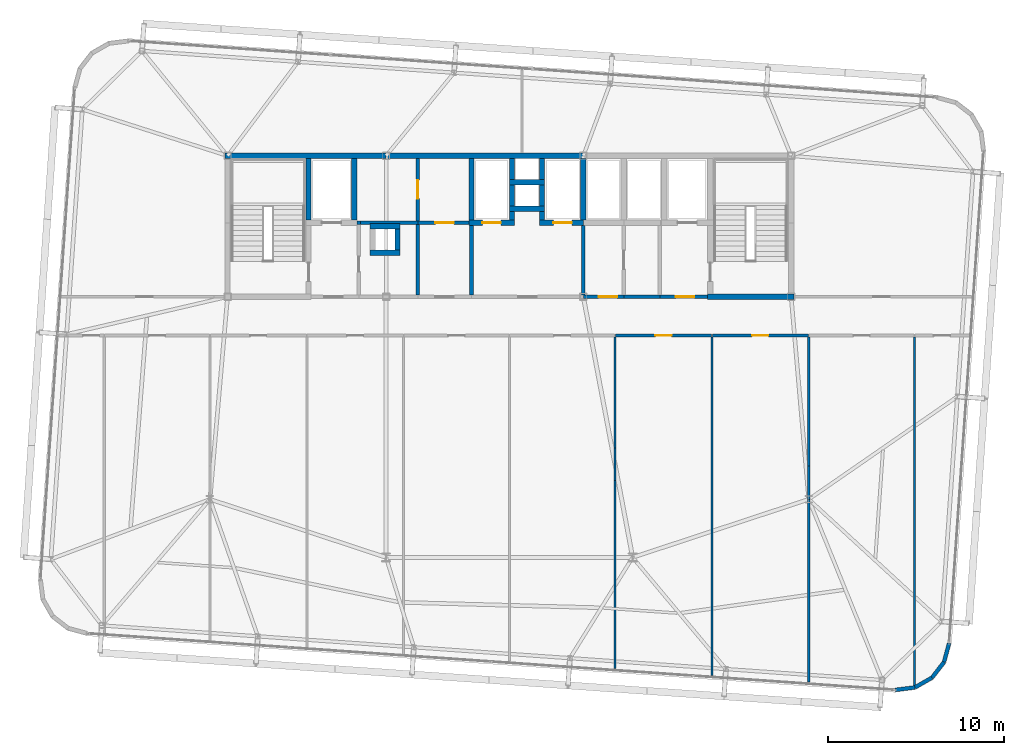
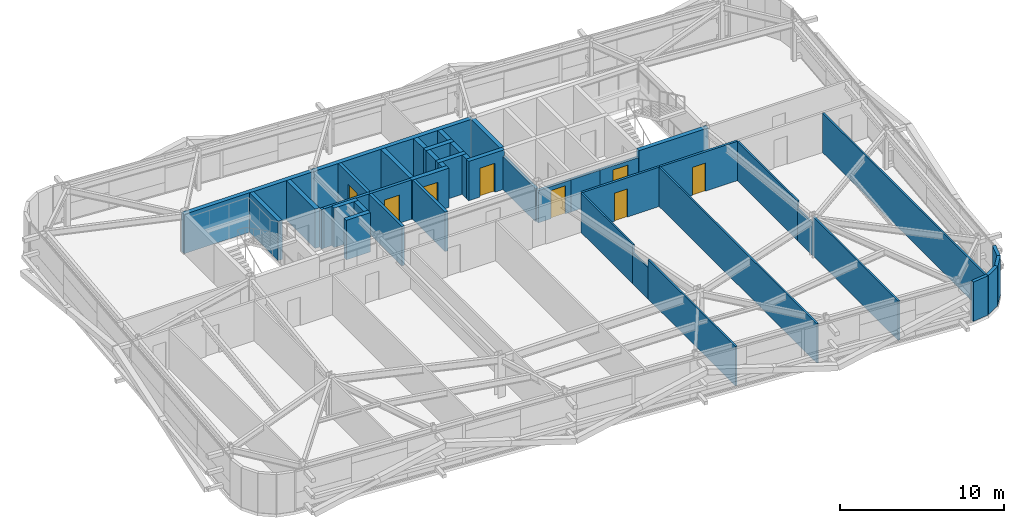
# One storey, part 36 of 39: 44 walls, 8 doors, 8 openings.
"""IFC4 building model written with IfcOpenShell, lengths in metres."""

from ifc_helpers import new_model, si_unit, direction, frame, frame_2d, origin, place, context, subcontext, project, spatial, rectangle, extrude, source, transform, mapped, material, layer, layer_set, type_object, element, fill, save


model = new_model("IFC4")

# Units and contexts
model_context = context("Model", 3, precision=1e-05, world=origin(), true_north=direction((0.0, 1.0)))
body_context = subcontext(model_context, "Body", "Model", "MODEL_VIEW")
ifc_project = project(units=[si_unit("LENGTHUNIT", "METRE"), si_unit("AREAUNIT", "SQUARE_METRE"), si_unit("VOLUMEUNIT", "CUBIC_METRE"), si_unit("PLANEANGLEUNIT", "RADIAN"), si_unit("MASSUNIT", "GRAM", prefix="KILO")], contexts=[model_context])

# Site, building, storey
site_placement = place(None, origin())
site = spatial("IfcSite", under=ifc_project, at=site_placement, CompositionType="ELEMENT")
building_placement = place(site_placement, origin())
building = spatial("IfcBuilding", under=site, at=building_placement, Name="Taldren Reach Tower", CompositionType="ELEMENT")
storey_placement = place(building_placement, frame((0.0, 0.0, 120.39990234375)))
storey = spatial("IfcBuildingStorey", under=building, at=storey_placement, Name="L36", CompositionType="ELEMENT", Elevation=120.39990234375)

# Walls
ifc_material_1 = material(Name="Pale Champagne Anodised Aluminium Cladding", Category="aluminium")
ifc_layer_1 = layer(ifc_material_1, 0.04, Name="Pale Champagne Anodised Aluminium Cladding", Category="aluminium")
ifc_material_2 = material(Name="Mineral Wool Acoustic Insulation", Category="insulation")
ifc_layer_2 = layer(ifc_material_2, 0.06, Name="Mineral Wool Acoustic Insulation", Category="insulation")
ifc_material_3 = material(Name="Steel Gr 350 (C350L0)", Category="steel")
ifc_layer_3 = layer(ifc_material_3, 0.12, Name="Steel Gr 350 (C350L0)", Category="steel")
ifc_layer_set_1 = layer_set([ifc_layer_1, ifc_layer_2, ifc_layer_3], Name="Pale Champagne Aluminium Cladding and Steel Gr 350 Stud Framing")
wall_type_1 = type_object("IfcWallType", Name="EW-CRN-220", PredefinedType="SOLIDWALL", material=ifc_layer_set_1)
shared_shape_1 = source(origin(), body_context, "Body", "SweptSolid", [
    extrude(rectangle(XDim=1.115966796875, YDim=0.219970703125, at=frame_2d((0.55810546875, 0.0))), origin(), (0.0, 0.0, 1.0), 2.93017578125),
])
for number, where, z_axis, x_axis, name in (
    (1, (58.02490234375, 1.8173828125, 0.0), (0.0, 0.0, 1.0), (0.868095010314, 0.496398079235, 0.0), "Rounded-corner pale-metal facade wall L36-SE2"),
    (2, (58.99365234375, 2.371337890625, 0.0), (0.0, 0.0, 1.0), (0.612318787668, 0.790610967714, 0.0), "Rounded-corner pale-metal facade wall L36-SE3"),
    (3, (59.677001953125, 3.253662109375, 0.0), (0.0, 0.0, 1.0), (0.262969307856, 0.964804199372, 0.0), "Rounded-corner pale-metal facade wall L36-SE4"),
):
    element("IfcWall", number, at=place(storey_placement, frame(where, z_axis=z_axis, x_axis=x_axis)), inside=storey, type_object=wall_type_1, Name=name, PredefinedType="SOLIDWALL", context=body_context, shape_type="MappedRepresentation", body=[
        mapped(shared_shape_1, transform((0.0, 0.0, 0.0), scale=1.0)),
    ])
shared_shape_2 = source(origin(), body_context, "Body", "SweptSolid", [
    extrude(rectangle(XDim=1.11572265625, YDim=0.219970703125, at=frame_2d((0.557861328125, 0.0))), origin(), (0.0, 0.0, 1.0), 2.93017578125),
])
wall_1_placement = place(storey_placement, frame((56.91796875, 1.6767578125, 0.0), z_axis=(0.0, 0.0, 1.0), x_axis=(0.99202678349, 0.126027222605, 0.0)))
element("IfcWall", 4, at=wall_1_placement, inside=storey, type_object=wall_type_1, Name="Rounded-corner pale-metal facade wall L36-SE1", PredefinedType="SOLIDWALL", context=body_context, shape_type="MappedRepresentation", body=[
    mapped(shared_shape_2, transform((0.0, 0.0, 0.0), scale=1.0)),
])

# Wall, opening, door
ifc_material_4 = material(Name="Concrete S50 (50 MPa)", Category="concrete")
ifc_layer_4 = layer(ifc_material_4, 0.199951171875)
ifc_layer_set_2 = layer_set([ifc_layer_4], Name="Concrete S50 (50 MPa)")
wall_type_2 = type_object("IfcWallType", Name="IW-CORE-200", PredefinedType="SOLIDWALL", material=ifc_layer_set_2)
shared_shape_3 = source(origin(), body_context, "Body", "SweptSolid", [
    extrude(rectangle(XDim=2.300048828125, YDim=0.199951171875, at=frame_2d((1.14990234375, 0.0))), origin(), (0.0, 0.0, 1.0), 2.397216796875),
])
wall_2_placement = place(storey_placement, frame((41.5, 24.0, 0.0), z_axis=(0.0, 0.0, 1.0), x_axis=(-1.0, 0.0, 0.0)))
wall_2 = element("IfcWall", 5, at=wall_2_placement, inside=storey, type_object=wall_type_2, Name="Rear Core Shear Wall W-INT-L36-044", PredefinedType="SOLIDWALL", context=body_context, shape_type="MappedRepresentation", body=[
    mapped(shared_shape_3, transform((0.0, 0.0, 0.0), scale=1.0)),
])
shared_shape_4 = source(origin(), body_context, "Body", "SweptSolid", [
    extrude(rectangle(XDim=1.050048828125, YDim=2.10009765625, at=frame_2d((0.52490234375, 1.050048828125))), frame((0.0, 0.10986328125, 0.0), z_axis=(0.0, -1.0, 0.0), x_axis=(1.0, 0.0, 0.0)), (0.0, 0.0, 1.0), 0.219970703125),
])
opening_1_placement = place(wall_2_placement, frame((0.375, 0.0, 0.0)))
opening_1 = element("IfcOpeningElement", 6, at=opening_1_placement, cuts=wall_2, Name="Opening DF-105", PredefinedType="OPENING", context=body_context, shape_type="MappedRepresentation", body=[
    mapped(shared_shape_4, transform((0.0, 0.0, 0.0), scale=1.0)),
])
ifc_material_5 = material(Name="Fire-Rated Care and Stair Exit Door")
door_type_1 = type_object("IfcDoorType", Name="ID-FIRE-105", OperationType="NOTDEFINED", PredefinedType="DOOR", material=ifc_material_5)
shared_shape_5 = source(origin(), body_context, "Body", "SweptSolid", [
    extrude(rectangle(XDim=1.050048828125, YDim=2.10009765625, at=frame_2d((0.52490234375, 1.050048828125))), frame((0.0, 0.02490234375, 0.0), z_axis=(0.0, -1.0, 0.0), x_axis=(1.0, 0.0, 0.0)), (0.0, 0.0, 1.0), 0.050048828125),
])
door_1_placement = place(opening_1_placement, frame((1.050048828125, 0.0, 0.0), z_axis=(0.0, 0.0, 1.0), x_axis=(-1.0, 0.0, 0.0)))
door_1 = element("IfcDoor", 7, at=door_1_placement, inside=storey, type_object=door_type_1, Name="Interior Door DR-L36-010", OperationType="SINGLE_SWING_RIGHT", OverallHeight=2.10009765625, OverallWidth=1.050048828125, PredefinedType="DOOR", context=body_context, shape_type="MappedRepresentation", body=[
    mapped(shared_shape_5, transform((0.0, 0.0, 0.0), scale=1.0)),
])
fill(opening_1, door_1)

# Walls
shared_shape_6 = source(origin(), body_context, "Body", "SweptSolid", [
    extrude(rectangle(XDim=2.050048828125, YDim=0.199951171875, at=frame_2d((1.02490234375, 0.0))), origin(), (0.0, 0.0, 1.0), 2.397216796875),
])
wall_3_placement = place(storey_placement, frame((43.550048828125, 24.0, 0.0), z_axis=(0.0, 0.0, 1.0), x_axis=(-1.0, 0.0, 0.0)))
element("IfcWall", 8, at=wall_3_placement, inside=storey, type_object=wall_type_2, Name="Rear Core Shear Wall W-INT-L36-045", PredefinedType="SOLIDWALL", context=body_context, shape_type="MappedRepresentation", body=[
    mapped(shared_shape_6, transform((0.0, 0.0, 0.0), scale=1.0)),
])
ifc_material_6 = material(Name="Insulated Residential Stud Partition", Category="gypsum")
ifc_layer_5 = layer(ifc_material_6, 0.1201171875)
ifc_layer_set_3 = layer_set([ifc_layer_5], Name="Insulated Residential Stud Partition")
wall_type_3 = type_object("IfcWallType", Name="IW-PART-120", PredefinedType="PARTITIONING", material=ifc_layer_set_3)
shared_shape_7 = source(origin(), body_context, "Body", "SweptSolid", [
    extrude(rectangle(XDim=1.860595703125, YDim=0.1201171875, at=frame_2d((0.93017578125, 0.0))), origin(), (0.0, 0.0, 1.0), 2.328125),
])
wall_4_placement = place(storey_placement, frame((41.0, 15.416015625, 0.0), z_axis=(0.0, 0.0, 1.0), x_axis=(0.0, -1.0, 0.0)))
element("IfcWall", 9, at=wall_4_placement, inside=storey, type_object=wall_type_3, Name="Interior Partition Wall W-INT-L36-063 part 2", PredefinedType="PARTITIONING", context=body_context, shape_type="MappedRepresentation", body=[
    mapped(shared_shape_7, transform((0.0, 0.0, 0.0), scale=1.0)),
])
ifc_material_7 = material(Name="Concrete S65 (65 MPa)", Category="concrete")
ifc_layer_6 = layer(ifc_material_7, 0.300048828125)
ifc_layer_set_4 = layer_set([ifc_layer_6], Name="Concrete S65 (65 MPa)")
wall_type_4 = type_object("IfcWallType", Name="IW-CORE-300", PredefinedType="SHEAR", material=ifc_layer_set_4)
shared_shape_8 = source(origin(), body_context, "Body", "SweptSolid", [
    extrude(rectangle(XDim=9.14990234375, YDim=0.300048828125, at=frame_2d((4.574951171875, 0.0))), origin(), (0.0, 0.0, 1.0), 2.93017578125),
])
wall_5_placement = place(storey_placement, frame((18.85009765625, 32.0, 0.0), z_axis=(0.0, 0.0, 1.0), x_axis=(1.0, 0.0, 0.0)))
element("IfcWall", 10, at=wall_5_placement, inside=storey, type_object=wall_type_4, Name="Rear Core Shear Wall W-CORE-L36-NORTH1", PredefinedType="SHEAR", context=body_context, shape_type="MappedRepresentation", body=[
    mapped(shared_shape_8, transform((0.0, 0.0, 0.0), scale=1.0)),
])
shared_shape_9 = source(origin(), body_context, "Body", "SweptSolid", [
    extrude(rectangle(XDim=11.199951171875, YDim=0.300048828125, at=frame_2d((5.60009765625, 0.0))), origin(), (0.0, 0.0, 1.0), 2.93017578125),
])
wall_6_placement = place(storey_placement, frame((28.0, 32.0, 0.0), z_axis=(0.0, 0.0, 1.0), x_axis=(1.0, 0.0, 0.0)))
element("IfcWall", 11, at=wall_6_placement, inside=storey, type_object=wall_type_4, Name="Rear Core Shear Wall W-CORE-L36-NORTH2", PredefinedType="SHEAR", context=body_context, shape_type="MappedRepresentation", body=[
    mapped(shared_shape_9, transform((0.0, 0.0, 0.0), scale=1.0)),
])
shared_shape_10 = source(origin(), body_context, "Body", "SweptSolid", [
    extrude(rectangle(XDim=3.5, YDim=0.300048828125, at=frame_2d((1.75, 0.0))), origin(), (0.0, 0.0, 1.0), 2.93017578125),
])
for number, where, z_axis, x_axis, name in (
    (12, (23.60009765625, 28.35009765625, 0.0), (0.0, 0.0, 1.0), (0.0, 1.0, 0.0), "Rear Core Shear Wall W-INT-L36-001"),
    (13, (26.199951171875, 28.35009765625, 0.0), (0.0, 0.0, 1.0), (0.0, 1.0, 0.0), "Rear Core Shear Wall W-INT-L36-005"),
    (14, (32.85009765625, 31.85009765625, 0.0), (0.0, 0.0, 1.0), (0.0, -1.0, 0.0), "Rear Core Shear Wall W-INT-L36-027"),
    (15, (39.199951171875, 28.35009765625, 0.0), (0.0, 0.0, 1.0), (0.0, 1.0, 0.0), "Rear Core Shear Wall W-INT-L36-030"),
):
    element("IfcWall", number, at=place(storey_placement, frame(where, z_axis=z_axis, x_axis=x_axis)), inside=storey, type_object=wall_type_4, Name=name, PredefinedType="SHEAR", context=body_context, shape_type="MappedRepresentation", body=[
        mapped(shared_shape_10, transform((0.0, 0.0, 0.0), scale=1.0)),
    ])
shared_shape_11 = source(origin(), body_context, "Body", "SweptSolid", [
    extrude(rectangle(XDim=4.89990234375, YDim=0.300048828125, at=frame_2d((2.449951171875, 0.0))), origin(), (0.0, 0.0, 1.0), 2.93017578125),
])
wall_7_placement = place(storey_placement, frame((46.25, 24.0, 0.0), z_axis=(0.0, 0.0, 1.0), x_axis=(1.0, 0.0, 0.0)))
element("IfcWall", 16, at=wall_7_placement, inside=storey, type_object=wall_type_4, Name="Rear Core Shear Wall W-INT-L36-010", PredefinedType="SHEAR", context=body_context, shape_type="MappedRepresentation", body=[
    mapped(shared_shape_11, transform((0.0, 0.0, 0.0), scale=1.0)),
])
shared_shape_12 = source(origin(), body_context, "Body", "SweptSolid", [
    extrude(rectangle(XDim=3.949951171875, YDim=0.199951171875, at=frame_2d((1.97509765625, 0.0))), origin(), (0.0, 0.0, 1.0), 2.93017578125),
])
wall_8_placement = place(storey_placement, frame((32.85009765625, 24.10009765625, 0.0), z_axis=(0.0, 0.0, 1.0), x_axis=(0.0, 1.0, 0.0)))
element("IfcWall", 17, at=wall_8_placement, inside=storey, type_object=wall_type_2, Name="Rear Core Shear Wall W-INT-L36-031", PredefinedType="SOLIDWALL", context=body_context, shape_type="MappedRepresentation", body=[
    mapped(shared_shape_12, transform((0.0, 0.0, 0.0), scale=1.0)),
])

# Wall, opening, door
shared_shape_13 = source(origin(), body_context, "Body", "SweptSolid", [
    extrude(rectangle(XDim=2.699951171875, YDim=0.199951171875, at=frame_2d((1.35009765625, 0.0))), origin(), (0.0, 0.0, 1.0), 2.397216796875),
])
wall_9_placement = place(storey_placement, frame((43.550048828125, 24.0, 0.0), z_axis=(0.0, 0.0, 1.0), x_axis=(1.0, 0.0, 0.0)))
wall_9 = element("IfcWall", 18, at=wall_9_placement, inside=storey, type_object=wall_type_2, Name="Rear Core Shear Wall W-INT-L36-014", PredefinedType="SOLIDWALL", context=body_context, shape_type="MappedRepresentation", body=[
    mapped(shared_shape_13, transform((0.0, 0.0, 0.0), scale=1.0)),
])
opening_2_placement = place(wall_9_placement, frame((0.89990234375, 0.0, 0.0)))
opening_2 = element("IfcOpeningElement", 19, at=opening_2_placement, cuts=wall_9, Name="Opening DF-105", PredefinedType="OPENING", context=body_context, shape_type="MappedRepresentation", body=[
    mapped(shared_shape_4, transform((0.0, 0.0, 0.0), scale=1.0)),
])
door_2_placement = place(opening_2_placement, origin())
door_2 = element("IfcDoor", 20, at=door_2_placement, inside=storey, type_object=door_type_1, Name="Interior Door DR-L36-004", OperationType="SINGLE_SWING_LEFT", OverallHeight=2.10009765625, OverallWidth=1.050048828125, PredefinedType="DOOR", context=body_context, shape_type="MappedRepresentation", body=[
    mapped(shared_shape_5, transform((0.0, 0.0, 0.0), scale=1.0)),
])
fill(opening_2, door_2)

# Walls
shared_shape_14 = source(origin(), body_context, "Body", "SweptSolid", [
    extrude(rectangle(XDim=2.0, YDim=0.300048828125, at=frame_2d((1.0, 0.0))), origin(), (0.0, 0.0, 1.0), 2.93017578125),
])
for number, where, z_axis, x_axis, name in (
    (21, (35.0, 30.5, 0.0), (0.0, 0.0, 1.0), (1.0, 0.0, 0.0), "Rear Core Shear Wall W-INT-L36-015"),
    (22, (35.0, 29.0, 0.0), (0.0, 0.0, 1.0), (1.0, 0.0, 0.0), "Rear Core Shear Wall W-INT-L36-020"),
):
    element("IfcWall", number, at=place(storey_placement, frame(where, z_axis=z_axis, x_axis=x_axis)), inside=storey, type_object=wall_type_4, Name=name, PredefinedType="SHEAR", context=body_context, shape_type="MappedRepresentation", body=[
        mapped(shared_shape_14, transform((0.0, 0.0, 0.0), scale=1.0)),
    ])
shared_shape_15 = source(origin(), body_context, "Body", "SweptSolid", [
    extrude(rectangle(XDim=1.2001953125, YDim=0.300048828125, at=frame_2d((0.60009765625, 0.0))), origin(), (0.0, 0.0, 1.0), 2.93017578125),
])
for number, where, z_axis, x_axis, name in (
    (23, (35.14990234375, 31.85009765625, 0.0), (0.0, 0.0, 1.0), (0.0, -1.0, 0.0), "Rear Core Shear Wall W-INT-L36-016"),
    (24, (36.85009765625, 30.64990234375, 0.0), (0.0, 0.0, 1.0), (0.0, 1.0, 0.0), "Rear Core Shear Wall W-INT-L36-017"),
    (25, (35.14990234375, 30.35009765625, 0.0), (0.0, 0.0, 1.0), (0.0, -1.0, 0.0), "Rear Core Shear Wall W-INT-L36-018"),
    (26, (36.85009765625, 29.14990234375, 0.0), (0.0, 0.0, 1.0), (0.0, 1.0, 0.0), "Rear Core Shear Wall W-INT-L36-019"),
    (27, (28.64990234375, 26.64990234375, 0.0), (0.0, 0.0, 1.0), (0.0, 1.0, 0.0), "Rear Core Shear Wall W-INT-L36-021"),
):
    element("IfcWall", number, at=place(storey_placement, frame(where, z_axis=z_axis, x_axis=x_axis)), inside=storey, type_object=wall_type_4, Name=name, PredefinedType="SHEAR", context=body_context, shape_type="MappedRepresentation", body=[
        mapped(shared_shape_15, transform((0.0, 0.0, 0.0), scale=1.0)),
    ])

# Wall, opening, door
shared_shape_16 = source(origin(), body_context, "Body", "SweptSolid", [
    extrude(rectangle(XDim=2.60009765625, YDim=0.300048828125, at=frame_2d((1.300048828125, 0.0))), origin(), (0.0, 0.0, 1.0), 2.93017578125),
])
wall_10_placement = place(storey_placement, frame((32.699951171875, 28.199951171875, 0.0), z_axis=(0.0, 0.0, 1.0), x_axis=(1.0, 0.0, 0.0)))
wall_10 = element("IfcWall", 28, at=wall_10_placement, inside=storey, type_object=wall_type_4, Name="Rear Core Shear Wall W-INT-L36-025", PredefinedType="SHEAR", context=body_context, shape_type="MappedRepresentation", body=[
    mapped(shared_shape_16, transform((0.0, 0.0, 0.0), scale=1.0)),
])
shared_shape_17 = source(origin(), body_context, "Body", "SweptSolid", [
    extrude(rectangle(XDim=1.050048828125, YDim=2.14990234375, at=frame_2d((0.52490234375, 1.074951171875))), frame((0.0, 0.16015625, 0.0), z_axis=(0.0, -1.0, 0.0), x_axis=(1.0, 0.0, 0.0)), (0.0, 0.0, 1.0), 0.320068359375),
])
opening_3_placement = place(wall_10_placement, frame((0.77490234375, 0.0, 0.0)))
opening_3 = element("IfcOpeningElement", 29, at=opening_3_placement, cuts=wall_10, Name="Opening LD-PM1", PredefinedType="OPENING", context=body_context, shape_type="MappedRepresentation", body=[
    mapped(shared_shape_17, transform((0.0, 0.0, 0.0), scale=1.0)),
])
ifc_material_8 = material(Name="Stainless Steel Gr 316 Passenger Lift Landing Door", Category="steel")
door_type_2 = type_object("IfcDoorType", Name="LD-PAS-105", OperationType="SLIDING_TO_LEFT", PredefinedType="DOOR", material=ifc_material_8)
shared_shape_18 = source(origin(), body_context, "Body", "SweptSolid", [
    extrude(rectangle(XDim=1.050048828125, YDim=2.14990234375, at=frame_2d((0.52490234375, 1.074951171875))), frame((0.0, 0.02490234375, 0.0), z_axis=(0.0, -1.0, 0.0), x_axis=(1.0, 0.0, 0.0)), (0.0, 0.0, 1.0), 0.050048828125),
])
door_3_placement = place(opening_3_placement, origin())
door_3 = element("IfcDoor", 30, at=door_3_placement, inside=storey, type_object=door_type_2, Name="Lift Landing Door LD-PM1-L36", OperationType="SLIDING_TO_LEFT", OverallHeight=2.14990234375, OverallWidth=1.050048828125, PredefinedType="DOOR", context=body_context, shape_type="MappedRepresentation", body=[
    mapped(shared_shape_18, transform((0.0, 0.0, 0.0), scale=1.0)),
])
fill(opening_3, door_3)

# Walls
shared_shape_19 = source(origin(), body_context, "Body", "SweptSolid", [
    extrude(rectangle(XDim=0.5, YDim=0.300048828125, at=frame_2d((0.25, 0.0))), origin(), (0.0, 0.0, 1.0), 2.93017578125),
])
for number, where, z_axis, x_axis, name in (
    (31, (35.14990234375, 28.35009765625, 0.0), (0.0, 0.0, 1.0), (0.0, 1.0, 0.0), "Rear Core Shear Wall W-INT-L36-026"),
    (32, (36.85009765625, 28.85009765625, 0.0), (0.0, 0.0, 1.0), (0.0, -1.0, 0.0), "Rear Core Shear Wall W-INT-L36-029"),
):
    element("IfcWall", number, at=place(storey_placement, frame(where, z_axis=z_axis, x_axis=x_axis)), inside=storey, type_object=wall_type_4, Name=name, PredefinedType="SHEAR", context=body_context, shape_type="MappedRepresentation", body=[
        mapped(shared_shape_19, transform((0.0, 0.0, 0.0), scale=1.0)),
    ])
shared_shape_20 = source(origin(), body_context, "Body", "SweptSolid", [
    extrude(rectangle(XDim=4.0, YDim=0.199951171875, at=frame_2d((2.0, 0.0))), origin(), (0.0, 0.0, 1.0), 2.93017578125),
])
wall_11_placement = place(storey_placement, frame((29.800048828125, 28.10009765625, 0.0), z_axis=(0.0, 0.0, 1.0), x_axis=(0.0, -1.0, 0.0)))
element("IfcWall", 33, at=wall_11_placement, inside=storey, type_object=wall_type_2, Name="Rear Core Shear Wall W-INT-L36-037", PredefinedType="SOLIDWALL", context=body_context, shape_type="MappedRepresentation", body=[
    mapped(shared_shape_20, transform((0.0, 0.0, 0.0), scale=1.0)),
])
shared_shape_21 = source(origin(), body_context, "Body", "SweptSolid", [
    extrude(rectangle(XDim=1.699951171875, YDim=0.300048828125, at=frame_2d((0.85009765625, 0.0))), origin(), (0.0, 0.0, 1.0), 2.93017578125),
])
for number, where, z_axis, x_axis, name in (
    (34, (28.800048828125, 28.0, 0.0), (0.0, 0.0, 1.0), (-1.0, 0.0, 0.0), "Rear Core Shear Wall W-INT-L36-023"),
    (35, (27.10009765625, 26.5, 0.0), (0.0, 0.0, 1.0), (1.0, 0.0, 0.0), "Rear Core Shear Wall W-INT-L36-024"),
):
    element("IfcWall", number, at=place(storey_placement, frame(where, z_axis=z_axis, x_axis=x_axis)), inside=storey, type_object=wall_type_4, Name=name, PredefinedType="SHEAR", context=body_context, shape_type="MappedRepresentation", body=[
        mapped(shared_shape_21, transform((0.0, 0.0, 0.0), scale=1.0)),
    ])

# Wall, opening, door
shared_shape_22 = source(origin(), body_context, "Body", "SweptSolid", [
    extrude(rectangle(XDim=2.5, YDim=0.300048828125, at=frame_2d((1.25, 0.0))), origin(), (0.0, 0.0, 1.0), 2.93017578125),
])
wall_12_placement = place(storey_placement, frame((36.699951171875, 28.199951171875, 0.0), z_axis=(0.0, 0.0, 1.0), x_axis=(1.0, 0.0, 0.0)))
wall_12 = element("IfcWall", 36, at=wall_12_placement, inside=storey, type_object=wall_type_4, Name="Rear Core Shear Wall W-INT-L36-028", PredefinedType="SHEAR", context=body_context, shape_type="MappedRepresentation", body=[
    mapped(shared_shape_22, transform((0.0, 0.0, 0.0), scale=1.0)),
])
opening_4_placement = place(wall_12_placement, frame((0.794921875, 0.0, 0.0)))
opening_4 = element("IfcOpeningElement", 37, at=opening_4_placement, cuts=wall_12, Name="Opening LD-PM2", PredefinedType="OPENING", context=body_context, shape_type="MappedRepresentation", body=[
    mapped(shared_shape_17, transform((0.0, 0.0, 0.0), scale=1.0)),
])
door_4_placement = place(opening_4_placement, origin())
door_4 = element("IfcDoor", 38, at=door_4_placement, inside=storey, type_object=door_type_2, Name="Lift Landing Door LD-PM2-L36", OperationType="SLIDING_TO_LEFT", OverallHeight=2.14990234375, OverallWidth=1.050048828125, PredefinedType="DOOR", context=body_context, shape_type="MappedRepresentation", body=[
    mapped(shared_shape_18, transform((0.0, 0.0, 0.0), scale=1.0)),
])
fill(opening_4, door_4)

# Walls
shared_shape_23 = source(origin(), body_context, "Body", "SweptSolid", [
    extrude(rectangle(XDim=3.949951171875, YDim=0.199951171875, at=frame_2d((1.97509765625, 0.0))), origin(), (0.0, 0.0, 1.0), 2.47021484375),
])
wall_13_placement = place(storey_placement, frame((39.199951171875, 28.050048828125, 0.0), z_axis=(0.0, 0.0, 1.0), x_axis=(0.0, -1.0, 0.0)))
element("IfcWall", 39, at=wall_13_placement, inside=storey, type_object=wall_type_2, Name="Rear Core Shear Wall W-INT-L36-032", PredefinedType="SOLIDWALL", context=body_context, shape_type="MappedRepresentation", body=[
    mapped(shared_shape_23, transform((0.0, 0.0, 0.0), scale=1.0)),
])
shared_shape_24 = source(origin(), body_context, "Body", "SweptSolid", [
    extrude(rectangle(XDim=3.35009765625, YDim=0.199951171875, at=frame_2d((1.675048828125, 0.0))), origin(), (0.0, 0.0, 1.0), 2.93017578125),
])
wall_14_placement = place(storey_placement, frame((26.449951171875, 28.199951171875, 0.0), z_axis=(0.0, 0.0, 1.0), x_axis=(1.0, 0.0, 0.0)))
element("IfcWall", 40, at=wall_14_placement, inside=storey, type_object=wall_type_2, Name="Rear Core Shear Wall W-INT-L36-038", PredefinedType="SOLIDWALL", context=body_context, shape_type="MappedRepresentation", body=[
    mapped(shared_shape_24, transform((0.0, 0.0, 0.0), scale=1.0)),
])

# Wall, opening, door
shared_shape_25 = source(origin(), body_context, "Body", "SweptSolid", [
    extrude(rectangle(XDim=2.89990234375, YDim=0.199951171875, at=frame_2d((1.449951171875, 0.0))), origin(), (0.0, 0.0, 1.0), 2.93017578125),
])
wall_15_placement = place(storey_placement, frame((29.800048828125, 28.199951171875, 0.0), z_axis=(0.0, 0.0, 1.0), x_axis=(1.0, 0.0, 0.0)))
wall_15 = element("IfcWall", 41, at=wall_15_placement, inside=storey, type_object=wall_type_2, Name="Rear Core Shear Wall W-INT-L36-040", PredefinedType="SOLIDWALL", context=body_context, shape_type="MappedRepresentation", body=[
    mapped(shared_shape_25, transform((0.0, 0.0, 0.0), scale=1.0)),
])
opening_5_placement = place(wall_15_placement, frame((1.0, 0.0, 0.0)))
opening_5 = element("IfcOpeningElement", 42, at=opening_5_placement, cuts=wall_15, Name="Opening DF-105", PredefinedType="OPENING", context=body_context, shape_type="MappedRepresentation", body=[
    mapped(shared_shape_4, transform((0.0, 0.0, 0.0), scale=1.0)),
])
door_5_placement = place(opening_5_placement, origin())
door_5 = element("IfcDoor", 43, at=door_5_placement, inside=storey, type_object=door_type_1, Name="Interior Door DR-L36-006", OperationType="SINGLE_SWING_LEFT", OverallHeight=2.10009765625, OverallWidth=1.050048828125, PredefinedType="DOOR", context=body_context, shape_type="MappedRepresentation", body=[
    mapped(shared_shape_5, transform((0.0, 0.0, 0.0), scale=1.0)),
])
fill(opening_5, door_5)

shared_shape_26 = source(origin(), body_context, "Body", "SweptSolid", [
    extrude(rectangle(XDim=3.550048828125, YDim=0.199951171875, at=frame_2d((1.77490234375, 0.0))), origin(), (0.0, 0.0, 1.0), 2.93017578125),
])
wall_16_placement = place(storey_placement, frame((29.800048828125, 31.85009765625, 0.0), z_axis=(0.0, 0.0, 1.0), x_axis=(0.0, -1.0, 0.0)))
wall_16 = element("IfcWall", 44, at=wall_16_placement, inside=storey, type_object=wall_type_2, Name="Rear Core Shear Wall W-INT-L36-042", PredefinedType="SOLIDWALL", context=body_context, shape_type="MappedRepresentation", body=[
    mapped(shared_shape_26, transform((0.0, 0.0, 0.0), scale=1.0)),
])
opening_6_placement = place(wall_16_placement, frame((1.22509765625, 0.0, 0.0)))
opening_6 = element("IfcOpeningElement", 45, at=opening_6_placement, cuts=wall_16, Name="Opening DF-105", PredefinedType="OPENING", context=body_context, shape_type="MappedRepresentation", body=[
    mapped(shared_shape_4, transform((0.0, 0.0, 0.0), scale=1.0)),
])
door_6_placement = place(opening_6_placement, frame((1.050048828125, 0.0, 0.0), z_axis=(0.0, 0.0, 1.0), x_axis=(-1.0, 0.0, 0.0)))
door_6 = element("IfcDoor", 46, at=door_6_placement, inside=storey, type_object=door_type_1, Name="Interior Door DR-L36-008", OperationType="SINGLE_SWING_RIGHT", OverallHeight=2.10009765625, OverallWidth=1.050048828125, PredefinedType="DOOR", context=body_context, shape_type="MappedRepresentation", body=[
    mapped(shared_shape_5, transform((0.0, 0.0, 0.0), scale=1.0)),
])
fill(opening_6, door_6)

ifc_material_9 = material(Name="Fire-Rated Acoustic Plasterboard Stud Wall", Category="gypsum")
ifc_layer_7 = layer(ifc_material_9, 0.159912109375)
ifc_layer_set_5 = layer_set([ifc_layer_7], Name="Fire-Rated Acoustic Plasterboard Stud Wall")
wall_type_5 = type_object("IfcWallType", Name="IW-FIRE-160", PredefinedType="PARTITIONING", material=ifc_layer_set_5)
shared_shape_27 = source(origin(), body_context, "Body", "SweptSolid", [
    extrude(rectangle(XDim=5.45947265625, YDim=0.159912109375, at=frame_2d((2.729736328125, 0.0))), origin(), (0.0, 0.0, 1.0), 2.93017578125),
])
wall_17_placement = place(storey_placement, frame((46.479736328125, 21.800048828125, 0.0), z_axis=(0.0, 0.0, 1.0), x_axis=(-1.0, 0.0, 0.0)))
wall_17 = element("IfcWall", 47, at=wall_17_placement, inside=storey, type_object=wall_type_5, Name="Interior Partition Wall W-INT-L36-052", PredefinedType="PARTITIONING", context=body_context, shape_type="MappedRepresentation", body=[
    mapped(shared_shape_27, transform((0.0, 0.0, 0.0), scale=1.0)),
])
shared_shape_28 = source(origin(), body_context, "Body", "SweptSolid", [
    extrude(rectangle(XDim=0.919921875, YDim=2.10009765625, at=frame_2d((0.4599609375, 1.050048828125))), frame((0.0, 0.08984375, 0.0), z_axis=(0.0, -1.0, 0.0), x_axis=(1.0, 0.0, 0.0)), (0.0, 0.0, 1.0), 0.179931640625),
])
opening_7_placement = place(wall_17_placement, frame((2.269775390625, 0.0, 0.0)))
opening_7 = element("IfcOpeningElement", 48, at=opening_7_placement, cuts=wall_17, Name="Opening DI-092", PredefinedType="OPENING", context=body_context, shape_type="MappedRepresentation", body=[
    mapped(shared_shape_28, transform((0.0, 0.0, 0.0), scale=1.0)),
])
ifc_material_10 = material(Name="Solid-Core Timber Suite Door", Category="wood")
door_type_3 = type_object("IfcDoorType", Name="ID-INT-092", OperationType="NOTDEFINED", PredefinedType="DOOR", material=ifc_material_10)
shared_shape_29 = source(origin(), body_context, "Body", "SweptSolid", [
    extrude(rectangle(XDim=0.919921875, YDim=2.10009765625, at=frame_2d((0.4599609375, 1.050048828125))), frame((0.0, 0.02490234375, 0.0), z_axis=(0.0, -1.0, 0.0), x_axis=(1.0, 0.0, 0.0)), (0.0, 0.0, 1.0), 0.050048828125),
])
door_7_placement = place(opening_7_placement, origin())
door_7 = element("IfcDoor", 49, at=door_7_placement, inside=storey, type_object=door_type_3, Name="Interior Door DR-L36-017", OperationType="SINGLE_SWING_RIGHT", OverallHeight=2.10009765625, OverallWidth=0.919921875, PredefinedType="DOOR", context=body_context, shape_type="MappedRepresentation", body=[
    mapped(shared_shape_29, transform((0.0, 0.0, 0.0), scale=1.0)),
])
fill(opening_7, door_7)

wall_18_placement = place(storey_placement, frame((51.979736328125, 21.800048828125, 0.0), z_axis=(0.0, 0.0, 1.0), x_axis=(-1.0, 0.0, 0.0)))
wall_18 = element("IfcWall", 50, at=wall_18_placement, inside=storey, type_object=wall_type_5, Name="Interior Partition Wall W-INT-L36-053", PredefinedType="PARTITIONING", context=body_context, shape_type="MappedRepresentation", body=[
    mapped(shared_shape_27, transform((0.0, 0.0, 0.0), scale=1.0)),
])
opening_8_placement = place(wall_18_placement, frame((2.269775390625, 0.0, 0.0)))
opening_8 = element("IfcOpeningElement", 51, at=opening_8_placement, cuts=wall_18, Name="Opening DI-092", PredefinedType="OPENING", context=body_context, shape_type="MappedRepresentation", body=[
    mapped(shared_shape_28, transform((0.0, 0.0, 0.0), scale=1.0)),
])
door_8_placement = place(opening_8_placement, origin())
door_8 = element("IfcDoor", 52, at=door_8_placement, inside=storey, type_object=door_type_3, Name="Interior Door DR-L36-018", OperationType="SINGLE_SWING_LEFT", OverallHeight=2.10009765625, OverallWidth=0.919921875, PredefinedType="DOOR", context=body_context, shape_type="MappedRepresentation", body=[
    mapped(shared_shape_29, transform((0.0, 0.0, 0.0), scale=1.0)),
])
fill(opening_8, door_8)

# Walls
shared_shape_30 = source(origin(), body_context, "Body", "SweptSolid", [
    extrude(rectangle(XDim=7.32373046875, YDim=0.1201171875, at=frame_2d((3.661865234375, 0.0))), origin(), (0.0, 0.0, 1.0), 2.93017578125),
])
wall_19_placement = place(storey_placement, frame((52.0, 21.719970703125, 0.0), z_axis=(0.0, 0.0, 1.0), x_axis=(0.0, -1.0, 0.0)))
element("IfcWall", 53, at=wall_19_placement, inside=storey, type_object=wall_type_3, Name="Interior Partition Wall W-INT-L36-065", PredefinedType="PARTITIONING", context=body_context, shape_type="MappedRepresentation", body=[
    mapped(shared_shape_30, transform((0.0, 0.0, 0.0), scale=1.0)),
])
shared_shape_31 = source(origin(), body_context, "Body", "SweptSolid", [
    extrude(rectangle(XDim=1.9013671875, YDim=0.1201171875, at=frame_2d((0.95068359375, 0.0))), origin(), (0.0, 0.0, 1.0), 2.397216796875),
])
wall_20_placement = place(storey_placement, frame((52.0, 14.396240234375, 0.0), z_axis=(0.0, 0.0, 1.0), x_axis=(0.0, -1.0, 0.0)))
element("IfcWall", 54, at=wall_20_placement, inside=storey, type_object=wall_type_3, Name="Interior Partition Wall W-INT-L36-065 part 2", PredefinedType="PARTITIONING", context=body_context, shape_type="MappedRepresentation", body=[
    mapped(shared_shape_31, transform((0.0, 0.0, 0.0), scale=1.0)),
])
shared_shape_32 = source(origin(), body_context, "Body", "SweptSolid", [
    extrude(rectangle(XDim=6.303955078125, YDim=0.1201171875, at=frame_2d((3.15185546875, 0.0))), origin(), (0.0, 0.0, 1.0), 2.93017578125),
])
wall_21_placement = place(storey_placement, frame((41.0, 21.719970703125, 0.0), z_axis=(0.0, 0.0, 1.0), x_axis=(0.0, -1.0, 0.0)))
element("IfcWall", 55, at=wall_21_placement, inside=storey, type_object=wall_type_3, Name="Interior Partition Wall W-INT-L36-063", PredefinedType="PARTITIONING", context=body_context, shape_type="MappedRepresentation", body=[
    mapped(shared_shape_32, transform((0.0, 0.0, 0.0), scale=1.0)),
])
shared_shape_33 = source(origin(), body_context, "Body", "SweptSolid", [
    extrude(rectangle(XDim=10.669921875, YDim=0.1201171875, at=frame_2d((5.3349609375, 0.0))), origin(), (0.0, 0.0, 1.0), 2.93017578125),
])
wall_22_placement = place(storey_placement, frame((41.0, 13.555419921875, 0.0), z_axis=(0.0, 0.0, 1.0), x_axis=(0.0, -1.0, 0.0)))
element("IfcWall", 56, at=wall_22_placement, inside=storey, type_object=wall_type_3, Name="Interior Partition Wall W-INT-L36-063 part 3", PredefinedType="PARTITIONING", context=body_context, shape_type="MappedRepresentation", body=[
    mapped(shared_shape_33, transform((0.0, 0.0, 0.0), scale=1.0)),
])
shared_shape_34 = source(origin(), body_context, "Body", "SweptSolid", [
    extrude(rectangle(XDim=19.218994140625, YDim=0.1201171875, at=frame_2d((9.609375, 0.0))), origin(), (0.0, 0.0, 1.0), 2.93017578125),
])
wall_23_placement = place(storey_placement, frame((46.5, 21.719970703125, 0.0), z_axis=(0.0, 0.0, 1.0), x_axis=(0.0, -1.0, 0.0)))
element("IfcWall", 57, at=wall_23_placement, inside=storey, type_object=wall_type_3, Name="Interior Partition Wall W-INT-L36-064", PredefinedType="PARTITIONING", context=body_context, shape_type="MappedRepresentation", body=[
    mapped(shared_shape_34, transform((0.0, 0.0, 0.0), scale=1.0)),
])
shared_shape_35 = source(origin(), body_context, "Body", "SweptSolid", [
    extrude(rectangle(XDim=10.37841796875, YDim=0.1201171875, at=frame_2d((5.189208984375, 0.0))), origin(), (0.0, 0.0, 1.0), 2.93017578125),
])
wall_24_placement = place(storey_placement, frame((52.0, 12.494873046875, 0.0), z_axis=(0.0, 0.0, 1.0), x_axis=(0.0, -1.0, 0.0)))
element("IfcWall", 58, at=wall_24_placement, inside=storey, type_object=wall_type_3, Name="Interior Partition Wall W-INT-L36-065 part 3", PredefinedType="PARTITIONING", context=body_context, shape_type="MappedRepresentation", body=[
    mapped(shared_shape_35, transform((0.0, 0.0, 0.0), scale=1.0)),
])
shared_shape_36 = source(origin(), body_context, "Body", "SweptSolid", [
    extrude(rectangle(XDim=19.822265625, YDim=0.1201171875, at=frame_2d((9.9111328125, 0.0))), origin(), (0.0, 0.0, 1.0), 2.93017578125),
])
wall_25_placement = place(storey_placement, frame((58.0, 21.719970703125, 0.0), z_axis=(0.0, 0.0, 1.0), x_axis=(0.0, -1.0, 0.0)))
element("IfcWall", 59, at=wall_25_placement, inside=storey, type_object=wall_type_3, Name="Interior Partition Wall W-INT-L36-066", PredefinedType="PARTITIONING", context=body_context, shape_type="MappedRepresentation", body=[
    mapped(shared_shape_36, transform((0.0, 0.0, 0.0), scale=1.0)),
])
shared_shape_37 = source(origin(), body_context, "Body", "SweptSolid", [
    extrude(rectangle(XDim=0.199951171875, YDim=0.199951171875, at=frame_2d((0.10009765625, 0.0))), origin(), (0.0, 0.0, 1.0), 2.93017578125),
])
wall_26_placement = place(storey_placement, frame((26.35009765625, 28.199951171875, 0.0), z_axis=(0.0, 0.0, 1.0), x_axis=(1.0, 0.0, 0.0)))
element("IfcWall", 60, at=wall_26_placement, inside=storey, type_object=wall_type_2, Name="Rear Core Partition Wall W-INT-L36-068", PredefinedType="SOLIDWALL", context=body_context, shape_type="MappedRepresentation", body=[
    mapped(shared_shape_37, transform((0.0, 0.0, 0.0), scale=1.0)),
])

save(model, "model.ifc")
